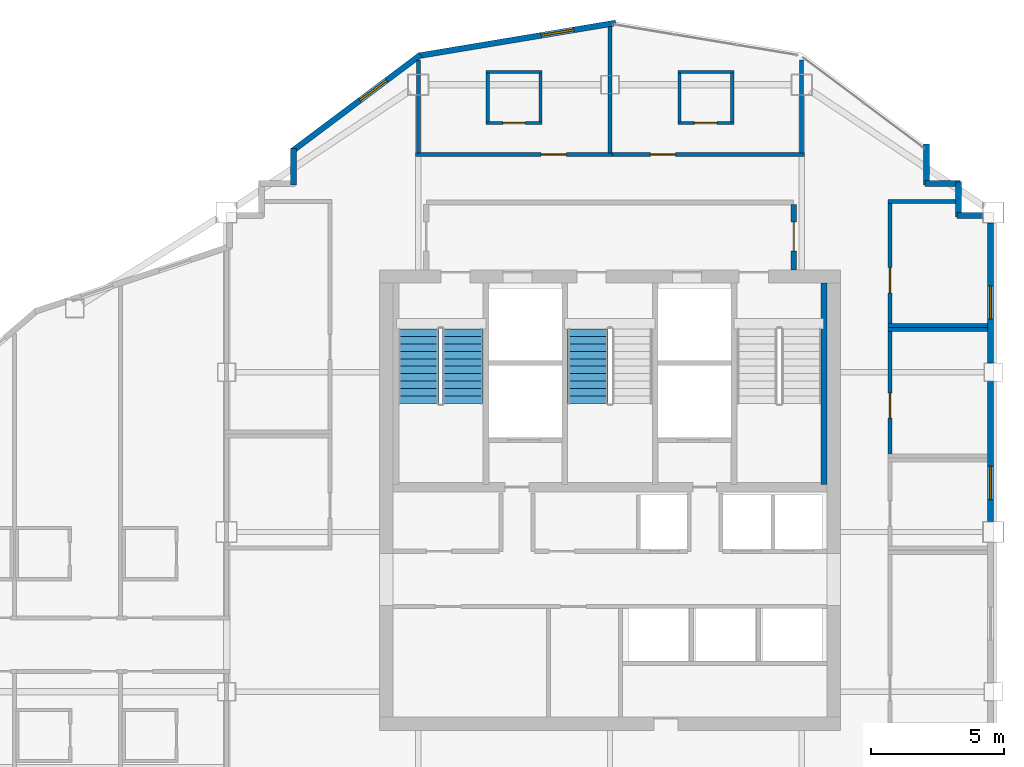
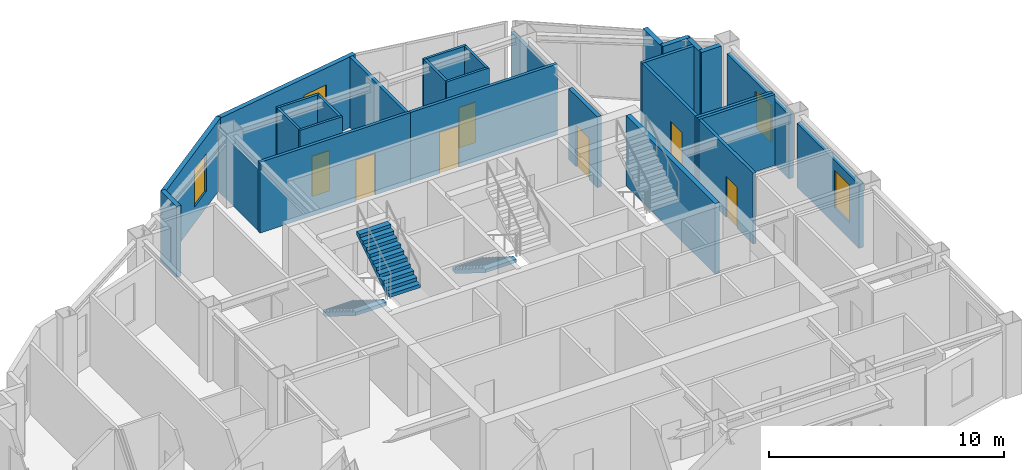
# One storey, part 8 of 10: 29 walls, 7 doors, 4 windows, 3 stair flights, 11 openings, 2 elements without a shape of their own.
"""IFC4 building model written with IfcOpenShell, lengths in metres."""

from ifc_helpers import new_model, si_unit, direction, frame, frame_2d, origin, place, context, subcontext, project, spatial, polyline, rectangle, outline, extrude, material, layer, layer_set, type_object, element, fill, aggregate, save


model = new_model("IFC4")

# Units and contexts
model_context = context("Model", 3, precision=1e-05, world=origin(), true_north=direction((0.0, 1.0)))
body_context = subcontext(model_context, "Body", "Model", "MODEL_VIEW")
ifc_project = project(units=[si_unit("LENGTHUNIT", "METRE"), si_unit("AREAUNIT", "SQUARE_METRE"), si_unit("VOLUMEUNIT", "CUBIC_METRE"), si_unit("PLANEANGLEUNIT", "RADIAN"), si_unit("MASSUNIT", "GRAM", prefix="KILO")], contexts=[model_context])

# Site, building, storey
site_placement = place(None, origin())
site = spatial("IfcSite", under=ifc_project, at=site_placement, CompositionType="ELEMENT")
building_placement = place(site_placement, origin())
building = spatial("IfcBuilding", under=site, at=building_placement, Name="Haolan Belvedere Tower", CompositionType="ELEMENT")
storey_placement = place(building_placement, frame((0.0, 0.0, 258.300048828125)))
storey = spatial("IfcBuildingStorey", under=building, at=storey_placement, Name="L65", CompositionType="ELEMENT", Elevation=258.300048828125)

# Wall, opening, window
ifc_material_1 = material(Name="Precast concrete C40/50", Category="concrete")
ifc_layer_1 = layer(ifc_material_1, 0.219970703125, Name="Precast concrete C40/50")
ifc_layer_set_1 = layer_set([ifc_layer_1], Name="Precast concrete C40/50")
wall_type_1 = type_object("IfcWallType", Name="WL-EXT-220", PredefinedType="SOLIDWALL", material=ifc_layer_set_1)
wall_1_placement = place(storey_placement, frame((52.68994140625, 33.991943359375, 0.0), z_axis=(0.0, 0.0, 1.0), x_axis=(0.0, 1.0, 0.0)))
wall_1 = element("IfcWall", 1, at=wall_1_placement, inside=storey, type_object=wall_type_1, Name="L65 pale-metal exterior spandrel wall 3.3", PredefinedType="SOLIDWALL", context=body_context, shape_type="SweptSolid", body=[
    extrude(rectangle(XDim=5.26611328125, YDim=0.219970703125, at=frame_2d((2.633056640625, 0.0))), origin(), (0.0, 0.0, 1.0), 3.31494140625),
])
opening_1_placement = place(wall_1_placement, frame((0.822998046875, 0.0, 0.85009765625)))
opening_1 = element("IfcOpeningElement", 2, at=opening_1_placement, cuts=wall_1, Name="Opening W-04", PredefinedType="OPENING", context=body_context, shape_type="SweptSolid", body=[
    extrude(rectangle(XDim=1.25, YDim=1.949951171875, at=frame_2d((0.625, 0.97509765625))), frame((0.0, 0.119873046875, 0.0), z_axis=(0.0, -1.0, 0.0), x_axis=(1.0, 0.0, 0.0)), (0.0, 0.0, 1.0), 0.239990234375),
])
ifc_material_2 = material(Name="Anodised aluminium 6063-T6 and Low-E glass", Category="aluminium")
window_type = type_object("IfcWindowType", Name="WN-DECO-Z4", PartitioningType="SINGLE_PANEL", PredefinedType="WINDOW", material=ifc_material_2)
window_1_placement = place(opening_1_placement, origin())
window_1 = element("IfcWindow", 3, at=window_1_placement, inside=storey, type_object=window_type, Name="L65 Art Deco chevron window 1", OverallHeight=1.949951171875, OverallWidth=1.25, PartitioningType="SINGLE_PANEL", PredefinedType="WINDOW", context=body_context, shape_type="SweptSolid", body=[
    extrude(rectangle(XDim=1.25, YDim=1.949951171875, at=frame_2d((0.625, 0.97509765625))), frame((0.0, 0.030029296875, 0.0), z_axis=(0.0, -1.0, 0.0), x_axis=(1.0, 0.0, 0.0)), (0.0, 0.0, 1.0), 0.06005859375),
])
fill(opening_1, window_1)

wall_2_placement = place(storey_placement, frame((52.68994140625, 39.94189453125, 0.0), z_axis=(0.0, 0.0, 1.0), x_axis=(0.0, 1.0, 0.0)))
wall_2 = element("IfcWall", 4, at=wall_2_placement, inside=storey, type_object=wall_type_1, Name="L65 pale-metal exterior spandrel wall 3.4", PredefinedType="SOLIDWALL", context=body_context, shape_type="SweptSolid", body=[
    extrude(rectangle(XDim=5.26611328125, YDim=0.219970703125, at=frame_2d((2.633056640625, 0.0))), origin(), (0.0, 0.0, 1.0), 3.31494140625),
])
opening_2_placement = place(wall_2_placement, frame((1.653076171875, 0.0, 0.85009765625)))
opening_2 = element("IfcOpeningElement", 5, at=opening_2_placement, cuts=wall_2, Name="Opening W-04", PredefinedType="OPENING", context=body_context, shape_type="SweptSolid", body=[
    extrude(rectangle(XDim=1.25, YDim=1.949951171875, at=frame_2d((0.625, 0.97509765625))), frame((0.0, 0.119873046875, 0.0), z_axis=(0.0, -1.0, 0.0), x_axis=(1.0, 0.0, 0.0)), (0.0, 0.0, 1.0), 0.239990234375),
])
window_2_placement = place(opening_2_placement, origin())
window_2 = element("IfcWindow", 6, at=window_2_placement, inside=storey, type_object=window_type, Name="L65 Art Deco chevron window 1", OverallHeight=1.949951171875, OverallWidth=1.25, PartitioningType="SINGLE_PANEL", PredefinedType="WINDOW", context=body_context, shape_type="SweptSolid", body=[
    extrude(rectangle(XDim=1.25, YDim=1.949951171875, at=frame_2d((0.625, 0.97509765625))), frame((0.0, 0.030029296875, 0.0), z_axis=(0.0, -1.0, 0.0), x_axis=(1.0, 0.0, 0.0)), (0.0, 0.0, 1.0), 0.06005859375),
])
fill(opening_2, window_2)

# Walls
wall_3_placement = place(storey_placement, frame((52.407958984375, 45.489990234375, 0.0), z_axis=(0.0, 0.0, 1.0), x_axis=(-1.0, 0.0, 0.0)))
element("IfcWall", 7, at=wall_3_placement, inside=storey, type_object=wall_type_1, Name="L65 pale-metal exterior spandrel wall 4.1", PredefinedType="SOLIDWALL", context=body_context, shape_type="SweptSolid", body=[
    extrude(rectangle(XDim=0.972900390625, YDim=0.219970703125, at=frame_2d((0.486328125, 0.0))), origin(), (0.0, 0.0, 1.0), 3.669921875),
])
wall_4_placement = place(storey_placement, frame((51.489990234375, 45.43505859375, 0.0), z_axis=(0.0, 0.0, 1.0), x_axis=(0.0, 1.0, 0.0)))
element("IfcWall", 8, at=wall_4_placement, inside=storey, type_object=wall_type_1, Name="L65 pale-metal exterior spandrel wall 5.1", PredefinedType="SOLIDWALL", context=body_context, shape_type="SweptSolid", body=[
    extrude(rectangle(XDim=1.31005859375, YDim=0.219970703125, at=frame_2d((0.655029296875, 0.0))), origin(), (0.0, 0.0, 1.0), 3.669921875),
])
wall_5_placement = place(storey_placement, frame((51.544921875, 46.68994140625, 0.0), z_axis=(0.0, 0.0, 1.0), x_axis=(-1.0, 0.0, 0.0)))
element("IfcWall", 9, at=wall_5_placement, inside=storey, type_object=wall_type_1, Name="L65 pale-metal exterior spandrel wall 6.1", PredefinedType="SOLIDWALL", context=body_context, shape_type="SweptSolid", body=[
    extrude(rectangle(XDim=1.309814453125, YDim=0.219970703125, at=frame_2d((0.65478515625, 0.0))), origin(), (0.0, 0.0, 1.0), 3.669921875),
])
wall_6_placement = place(storey_placement, frame((50.2900390625, 46.635009765625, 0.0), z_axis=(0.0, 0.0, 1.0), x_axis=(0.0, 1.0, 0.0)))
element("IfcWall", 10, at=wall_6_placement, inside=storey, type_object=wall_type_1, Name="L65 pale-metal exterior spandrel wall 7.1", PredefinedType="SOLIDWALL", context=body_context, shape_type="SweptSolid", body=[
    extrude(rectangle(XDim=1.534912109375, YDim=0.219970703125, at=frame_2d((0.767578125, 0.0))), origin(), (0.0, 0.0, 1.0), 3.669921875),
])

# Wall, opening, window
wall_7_placement = place(storey_placement, frame((38.621826171875, 52.7255859375, 0.0), z_axis=(0.0, 0.0, 1.0), x_axis=(-0.986390420428, -0.164420006349, 0.0)))
wall_7 = element("IfcWall", 11, at=wall_7_placement, inside=storey, type_object=wall_type_1, Name="L65 pale-metal exterior spandrel wall 10.1", PredefinedType="SOLIDWALL", context=body_context, shape_type="SweptSolid", body=[
    extrude(rectangle(XDim=7.5341796875, YDim=0.219970703125, at=frame_2d((3.76708984375, 0.0))), origin(), (0.0, 0.0, 1.0), 3.669921875),
])
opening_3_placement = place(wall_7_placement, frame((1.60009765625, 0.0, 0.85009765625)))
opening_3 = element("IfcOpeningElement", 12, at=opening_3_placement, cuts=wall_7, Name="Opening W-04", PredefinedType="OPENING", context=body_context, shape_type="SweptSolid", body=[
    extrude(rectangle(XDim=1.25, YDim=1.949951171875, at=frame_2d((0.625, 0.97509765625))), frame((0.0, 0.119873046875, 0.0), z_axis=(0.0, -1.0, 0.0), x_axis=(1.0, 0.0, 0.0)), (0.0, 0.0, 1.0), 0.239990234375),
])
window_3_placement = place(opening_3_placement, origin())
window_3 = element("IfcWindow", 13, at=window_3_placement, inside=storey, type_object=window_type, Name="L65 Art Deco chevron window 1", OverallHeight=1.949951171875, OverallWidth=1.25, PartitioningType="SINGLE_PANEL", PredefinedType="WINDOW", context=body_context, shape_type="SweptSolid", body=[
    extrude(rectangle(XDim=1.25, YDim=1.949951171875, at=frame_2d((0.625, 0.97509765625))), frame((0.0, 0.030029296875, 0.0), z_axis=(0.0, -1.0, 0.0), x_axis=(1.0, 0.0, 0.0)), (0.0, 0.0, 1.0), 0.06005859375),
])
fill(opening_3, window_3)

wall_8_placement = place(storey_placement, frame((31.28857421875, 51.52880859375, 0.0), z_axis=(0.0, 0.0, 1.0), x_axis=(-0.800014580093, -0.599980559383, 0.0)))
wall_8 = element("IfcWall", 14, at=wall_8_placement, inside=storey, type_object=wall_type_1, Name="L65 pale-metal exterior spandrel wall 11.1", PredefinedType="SOLIDWALL", context=body_context, shape_type="SweptSolid", body=[
    extrude(rectangle(XDim=6.028076171875, YDim=0.219970703125, at=frame_2d((3.01416015625, 0.0))), origin(), (0.0, 0.0, 1.0), 3.669921875),
])
opening_4_placement = place(wall_8_placement, frame((1.60009765625, 0.0, 0.85009765625)))
opening_4 = element("IfcOpeningElement", 15, at=opening_4_placement, cuts=wall_8, Name="Opening W-04", PredefinedType="OPENING", context=body_context, shape_type="SweptSolid", body=[
    extrude(rectangle(XDim=1.25, YDim=1.949951171875, at=frame_2d((0.625, 0.97509765625))), frame((0.0, 0.119873046875, 0.0), z_axis=(0.0, -1.0, 0.0), x_axis=(1.0, 0.0, 0.0)), (0.0, 0.0, 1.0), 0.239990234375),
])
window_4_placement = place(opening_4_placement, origin())
window_4 = element("IfcWindow", 16, at=window_4_placement, inside=storey, type_object=window_type, Name="L65 Art Deco chevron window 1", OverallHeight=1.949951171875, OverallWidth=1.25, PartitioningType="SINGLE_PANEL", PredefinedType="WINDOW", context=body_context, shape_type="SweptSolid", body=[
    extrude(rectangle(XDim=1.25, YDim=1.949951171875, at=frame_2d((0.625, 0.97509765625))), frame((0.0, 0.030029296875, 0.0), z_axis=(0.0, -1.0, 0.0), x_axis=(1.0, 0.0, 0.0)), (0.0, 0.0, 1.0), 0.06005859375),
])
fill(opening_4, window_4)

# Wall
wall_9_placement = place(storey_placement, frame((26.510009765625, 48.0, 0.0), z_axis=(0.0, 0.0, 1.0), x_axis=(0.0, -1.0, 0.0)))
element("IfcWall", 17, at=wall_9_placement, inside=storey, type_object=wall_type_1, Name="L65 pale-metal exterior spandrel wall 12.1", PredefinedType="SOLIDWALL", context=body_context, shape_type="SweptSolid", body=[
    extrude(rectangle(XDim=1.364990234375, YDim=0.219970703125, at=frame_2d((0.6826171875, 0.0))), origin(), (0.0, 0.0, 1.0), 3.669921875),
])

# Wall, opening, door
ifc_material_3 = material(Name="Concrete C40/50", Category="concrete")
ifc_layer_2 = layer(ifc_material_3, 0.199951171875, Name="Concrete C40/50")
ifc_layer_set_2 = layer_set([ifc_layer_2], Name="Concrete C40/50")
wall_type_2 = type_object("IfcWallType", Name="WL-FIRE-200", PredefinedType="SOLIDWALL", material=ifc_layer_set_2)
wall_10_placement = place(storey_placement, frame((45.300048828125, 43.449951171875, 0.0), z_axis=(0.0, 0.0, 1.0), x_axis=(0.0, 1.0, 0.0)))
wall_10 = element("IfcWall", 18, at=wall_10_placement, inside=storey, type_object=wall_type_2, Name="L65 interior partition IW-L65-FFL-E", PredefinedType="SOLIDWALL", context=body_context, shape_type="SweptSolid", body=[
    extrude(rectangle(XDim=2.445068359375, YDim=0.199951171875, at=frame_2d((1.22265625, 0.0))), origin(), (0.0, 0.0, 1.0), 3.669921875),
])
opening_5_placement = place(wall_10_placement, frame((0.699951171875, 0.0, 0.0)))
opening_5 = element("IfcOpeningElement", 19, at=opening_5_placement, cuts=wall_10, Name="Opening FD-03", PredefinedType="OPENING", context=body_context, shape_type="SweptSolid", body=[
    extrude(rectangle(XDim=1.10009765625, YDim=2.14990234375, at=frame_2d((0.550048828125, 1.074951171875))), frame((0.0, 0.10986328125, 0.0), z_axis=(0.0, -1.0, 0.0), x_axis=(1.0, 0.0, 0.0)), (0.0, 0.0, 1.0), 0.219970703125),
])
ifc_material_4 = material(Name="Galvanised fire-rated steel", Category="steel")
door_type_1 = type_object("IfcDoorType", Name="DR-FD90-1100", OperationType="NOTDEFINED", PredefinedType="DOOR", material=ifc_material_4)
door_1_placement = place(opening_5_placement, origin())
door_1 = element("IfcDoor", 20, at=door_1_placement, inside=storey, type_object=door_type_1, Name="L65 door ID-L65-FFL-DE", OperationType="SINGLE_SWING_RIGHT", OverallHeight=2.14990234375, OverallWidth=1.10009765625, PredefinedType="DOOR", context=body_context, shape_type="SweptSolid", body=[
    extrude(rectangle(XDim=1.10009765625, YDim=2.14990234375, at=frame_2d((0.550048828125, 1.074951171875))), frame((0.0, 0.02490234375, 0.0), z_axis=(0.0, -1.0, 0.0), x_axis=(1.0, 0.0, 0.0)), (0.0, 0.0, 1.0), 0.050048828125),
])
fill(opening_5, door_1)

# Wall
ifc_material_5 = material(Name="Double gypsum acoustic stud partition", Category="masonry")
ifc_layer_3 = layer(ifc_material_5, 0.14990234375, Name="Double gypsum acoustic stud partition")
ifc_layer_set_3 = layer_set([ifc_layer_3], Name="Double gypsum acoustic stud partition")
wall_type_3 = type_object("IfcWallType", Name="WL-PART-150", PredefinedType="PARTITIONING", material=ifc_layer_set_3)
wall_11_placement = place(storey_placement, frame((48.840087890625, 41.199951171875, 0.0), z_axis=(0.0, 0.0, 1.0), x_axis=(1.0, 0.0, 0.0)))
element("IfcWall", 21, at=wall_11_placement, inside=storey, type_object=wall_type_3, Name="L65 interior partition IW-L65-STY-N", PredefinedType="PARTITIONING", context=body_context, shape_type="SweptSolid", body=[
    extrude(rectangle(XDim=3.747802734375, YDim=0.14990234375, at=frame_2d((1.8740234375, 0.0))), origin(), (0.0, 0.0, 1.0), 3.669921875),
])

# Wall, opening, door
wall_12_placement = place(storey_placement, frame((48.919921875, 36.52001953125, 0.0), z_axis=(0.0, 0.0, 1.0), x_axis=(0.0, 1.0, 0.0)))
wall_12 = element("IfcWall", 22, at=wall_12_placement, inside=storey, type_object=wall_type_3, Name="L65 interior partition IW-L65-STY-W", PredefinedType="PARTITIONING", context=body_context, shape_type="SweptSolid", body=[
    extrude(rectangle(XDim=4.619873046875, YDim=0.14990234375, at=frame_2d((2.31005859375, 0.0))), origin(), (0.0, 0.0, 1.0), 3.669921875),
])
opening_6_placement = place(wall_12_placement, frame((1.360107421875, 0.0, 0.0)))
opening_6 = element("IfcOpeningElement", 23, at=opening_6_placement, cuts=wall_12, Name="Opening ID-03", PredefinedType="OPENING", context=body_context, shape_type="SweptSolid", body=[
    extrude(rectangle(XDim=0.949951171875, YDim=2.1201171875, at=frame_2d((0.47509765625, 1.06005859375))), frame((0.0, 0.0849609375, 0.0), z_axis=(0.0, -1.0, 0.0), x_axis=(1.0, 0.0, 0.0)), (0.0, 0.0, 1.0), 0.169921875),
])
ifc_material_6 = material(Name="Painted solid-core timber", Category="wood")
door_type_2 = type_object("IfcDoorType", Name="DR-INT-950", OperationType="NOTDEFINED", PredefinedType="DOOR", material=ifc_material_6)
door_2_placement = place(opening_6_placement, origin())
door_2 = element("IfcDoor", 24, at=door_2_placement, inside=storey, type_object=door_type_2, Name="L65 door ID-L65-STY", OperationType="SINGLE_SWING_RIGHT", OverallHeight=2.1201171875, OverallWidth=0.949951171875, PredefinedType="DOOR", context=body_context, shape_type="SweptSolid", body=[
    extrude(rectangle(XDim=0.949951171875, YDim=2.1201171875, at=frame_2d((0.47509765625, 1.06005859375))), frame((0.0, 0.02490234375, 0.0), z_axis=(0.0, -1.0, 0.0), x_axis=(1.0, 0.0, 0.0)), (0.0, 0.0, 1.0), 0.050048828125),
])
fill(opening_6, door_2)

# Walls
wall_13_placement = place(storey_placement, frame((48.840087890625, 46.02001953125, 0.0), z_axis=(0.0, 0.0, 1.0), x_axis=(1.0, 0.0, 0.0)))
element("IfcWall", 25, at=wall_13_placement, inside=storey, type_object=wall_type_3, Name="L65 interior partition IW-L65-PNT-N", PredefinedType="PARTITIONING", context=body_context, shape_type="SweptSolid", body=[
    extrude(rectangle(XDim=2.5478515625, YDim=0.14990234375, at=frame_2d((1.27392578125, 0.0))), origin(), (0.0, 0.0, 1.0), 3.669921875),
])
wall_14_placement = place(storey_placement, frame((48.840087890625, 41.360107421875, 0.0), z_axis=(0.0, 0.0, 1.0), x_axis=(1.0, 0.0, 0.0)))
element("IfcWall", 26, at=wall_14_placement, inside=storey, type_object=wall_type_3, Name="L65 interior partition IW-L65-PNT-S", PredefinedType="PARTITIONING", context=body_context, shape_type="SweptSolid", body=[
    extrude(rectangle(XDim=3.747802734375, YDim=0.14990234375, at=frame_2d((1.8740234375, 0.0))), origin(), (0.0, 0.0, 1.0), 3.669921875),
])

# Wall, opening, door
wall_15_placement = place(storey_placement, frame((48.919921875, 41.419921875, 0.0), z_axis=(0.0, 0.0, 1.0), x_axis=(0.0, 1.0, 0.0)))
wall_15 = element("IfcWall", 27, at=wall_15_placement, inside=storey, type_object=wall_type_3, Name="L65 interior partition IW-L65-PNT-W", PredefinedType="PARTITIONING", context=body_context, shape_type="SweptSolid", body=[
    extrude(rectangle(XDim=4.5400390625, YDim=0.14990234375, at=frame_2d((2.27001953125, 0.0))), origin(), (0.0, 0.0, 1.0), 3.669921875),
])
opening_7_placement = place(wall_15_placement, frame((1.159912109375, 0.0, 0.0)))
opening_7 = element("IfcOpeningElement", 28, at=opening_7_placement, cuts=wall_15, Name="Opening ID-03", PredefinedType="OPENING", context=body_context, shape_type="SweptSolid", body=[
    extrude(rectangle(XDim=0.949951171875, YDim=2.1201171875, at=frame_2d((0.47509765625, 1.06005859375))), frame((0.0, 0.0849609375, 0.0), z_axis=(0.0, -1.0, 0.0), x_axis=(1.0, 0.0, 0.0)), (0.0, 0.0, 1.0), 0.169921875),
])
door_3_placement = place(opening_7_placement, origin())
door_3 = element("IfcDoor", 29, at=door_3_placement, inside=storey, type_object=door_type_2, Name="L65 door ID-L65-PNT", OperationType="SINGLE_SWING_LEFT", OverallHeight=2.1201171875, OverallWidth=0.949951171875, PredefinedType="DOOR", context=body_context, shape_type="SweptSolid", body=[
    extrude(rectangle(XDim=0.949951171875, YDim=2.1201171875, at=frame_2d((0.47509765625, 1.06005859375))), frame((0.0, 0.02490234375, 0.0), z_axis=(0.0, -1.0, 0.0), x_axis=(1.0, 0.0, 0.0)), (0.0, 0.0, 1.0), 0.050048828125),
])
fill(opening_7, door_3)

wall_16_placement = place(storey_placement, frame((31.10009765625, 47.780029296875, 0.0), z_axis=(0.0, 0.0, 1.0), x_axis=(1.0, 0.0, 0.0)))
wall_16 = element("IfcWall", 30, at=wall_16_placement, inside=storey, type_object=wall_type_3, Name="L65 interior partition IW-L65-KN2-S", PredefinedType="PARTITIONING", context=body_context, shape_type="SweptSolid", body=[
    extrude(rectangle(XDim=7.39990234375, YDim=0.14990234375, at=frame_2d((3.699951171875, 0.0))), origin(), (0.0, 0.0, 1.0), 3.669921875),
])
opening_8_placement = place(wall_16_placement, frame((4.713623046875, 0.0, 0.0)))
opening_8 = element("IfcOpeningElement", 31, at=opening_8_placement, cuts=wall_16, Name="Opening ID-02", PredefinedType="OPENING", context=body_context, shape_type="SweptSolid", body=[
    extrude(rectangle(XDim=0.949951171875, YDim=2.14990234375, at=frame_2d((0.47509765625, 1.074951171875))), frame((0.0, 0.0849609375, 0.0), z_axis=(0.0, -1.0, 0.0), x_axis=(1.0, 0.0, 0.0)), (0.0, 0.0, 1.0), 0.169921875),
])
ifc_material_7 = material(Name="Acoustic oak veneer fire-rated timber", Category="wood")
door_type_3 = type_object("IfcDoorType", Name="DR-GUEST-950", OperationType="NOTDEFINED", PredefinedType="DOOR", material=ifc_material_7)
door_4_placement = place(opening_8_placement, origin())
door_4 = element("IfcDoor", 32, at=door_4_placement, inside=storey, type_object=door_type_3, Name="L65 door ID-L65-KN2-ENT", OperationType="SINGLE_SWING_LEFT", OverallHeight=2.14990234375, OverallWidth=0.949951171875, PredefinedType="DOOR", context=body_context, shape_type="SweptSolid", body=[
    extrude(rectangle(XDim=0.949951171875, YDim=2.14990234375, at=frame_2d((0.47509765625, 1.074951171875))), frame((0.0, 0.02490234375, 0.0), z_axis=(0.0, -1.0, 0.0), x_axis=(1.0, 0.0, 0.0)), (0.0, 0.0, 1.0), 0.050048828125),
])
fill(opening_8, door_4)

# Walls
wall_17_placement = place(storey_placement, frame((31.199951171875, 47.840087890625, 0.0), z_axis=(0.0, 0.0, 1.0), x_axis=(0.0, 1.0, 0.0)))
element("IfcWall", 33, at=wall_17_placement, inside=storey, type_object=wall_type_3, Name="L65 interior partition IW-L65-KN2-W", PredefinedType="PARTITIONING", context=body_context, shape_type="SweptSolid", body=[
    extrude(rectangle(XDim=3.494873046875, YDim=0.14990234375, at=frame_2d((1.74755859375, 0.0))), origin(), (0.0, 0.0, 1.0), 3.204833984375),
])
wall_18_placement = place(storey_placement, frame((38.39990234375, 47.840087890625, 0.0), z_axis=(0.0, 0.0, 1.0), x_axis=(0.0, 1.0, 0.0)))
element("IfcWall", 34, at=wall_18_placement, inside=storey, type_object=wall_type_3, Name="L65 interior partition IW-L65-KN2-E", PredefinedType="PARTITIONING", context=body_context, shape_type="SweptSolid", body=[
    extrude(rectangle(XDim=4.7451171875, YDim=0.14990234375, at=frame_2d((2.37255859375, 0.0))), origin(), (0.0, 0.0, 1.0), 3.669921875),
])

# Wall, opening, door
wall_19_placement = place(storey_placement, frame((38.501953125, 47.780029296875, 0.0), z_axis=(0.0, 0.0, 1.0), x_axis=(1.0, 0.0, 0.0)))
wall_19 = element("IfcWall", 35, at=wall_19_placement, inside=storey, type_object=wall_type_3, Name="L65 interior partition IW-L65-KN3-S", PredefinedType="PARTITIONING", context=body_context, shape_type="SweptSolid", body=[
    extrude(rectangle(XDim=7.197998046875, YDim=0.14990234375, at=frame_2d((3.59912109375, 0.0))), origin(), (0.0, 0.0, 1.0), 3.669921875),
])
opening_9_placement = place(wall_19_placement, frame((1.41748046875, 0.0, 0.0)))
opening_9 = element("IfcOpeningElement", 36, at=opening_9_placement, cuts=wall_19, Name="Opening ID-02", PredefinedType="OPENING", context=body_context, shape_type="SweptSolid", body=[
    extrude(rectangle(XDim=0.949951171875, YDim=2.14990234375, at=frame_2d((0.47509765625, 1.074951171875))), frame((0.0, 0.0849609375, 0.0), z_axis=(0.0, -1.0, 0.0), x_axis=(1.0, 0.0, 0.0)), (0.0, 0.0, 1.0), 0.169921875),
])
door_5_placement = place(opening_9_placement, origin())
door_5 = element("IfcDoor", 37, at=door_5_placement, inside=storey, type_object=door_type_3, Name="L65 door ID-L65-KN3-ENT", OperationType="SINGLE_SWING_RIGHT", OverallHeight=2.14990234375, OverallWidth=0.949951171875, PredefinedType="DOOR", context=body_context, shape_type="SweptSolid", body=[
    extrude(rectangle(XDim=0.949951171875, YDim=2.14990234375, at=frame_2d((0.47509765625, 1.074951171875))), frame((0.0, 0.02490234375, 0.0), z_axis=(0.0, -1.0, 0.0), x_axis=(1.0, 0.0, 0.0)), (0.0, 0.0, 1.0), 0.050048828125),
])
fill(opening_9, door_5)

# Walls
wall_20_placement = place(storey_placement, frame((45.60009765625, 47.840087890625, 0.0), z_axis=(0.0, 0.0, 1.0), x_axis=(0.0, 1.0, 0.0)))
element("IfcWall", 38, at=wall_20_placement, inside=storey, type_object=wall_type_3, Name="L65 interior partition IW-L65-KN3-E", PredefinedType="PARTITIONING", context=body_context, shape_type="SweptSolid", body=[
    extrude(rectangle(XDim=3.494873046875, YDim=0.14990234375, at=frame_2d((1.74755859375, 0.0))), origin(), (0.0, 0.0, 1.0), 3.204833984375),
])
ifc_material_8 = material(Name="Concrete C50/60", Category="concrete")
ifc_layer_4 = layer(ifc_material_8, 0.219970703125, Name="Concrete C50/60")
ifc_layer_set_4 = layer_set([ifc_layer_4], Name="Concrete C50/60")
wall_type_4 = type_object("IfcWallType", Name="WL-STAIR-220", PredefinedType="SHEAR", material=ifc_layer_set_4)
wall_21_placement = place(storey_placement, frame((46.43798828125, 35.389892578125, 0.0), z_axis=(0.0, 0.0, 1.0), x_axis=(0.0, 1.0, 0.0)))
element("IfcWall", 39, at=wall_21_placement, inside=storey, type_object=wall_type_4, Name="L65 structural stair core wall ST2E", PredefinedType="SHEAR", context=body_context, shape_type="SweptSolid", body=[
    extrude(rectangle(XDim=7.56005859375, YDim=0.219970703125, at=frame_2d((3.780029296875, 0.0))), origin(), (0.0, 0.0, 1.0), 3.669921875),
])
ifc_material_9 = material(Name="Moisture-resistant gypsum tile partition", Category="masonry")
ifc_layer_5 = layer(ifc_material_9, 0.1201171875, Name="Moisture-resistant gypsum tile partition")
ifc_layer_set_5 = layer_set([ifc_layer_5], Name="Moisture-resistant gypsum tile partition")
wall_type_5 = type_object("IfcWallType", Name="WL-WET-120", PredefinedType="PARTITIONING", material=ifc_layer_set_5)
wall_22_placement = place(storey_placement, frame((33.75, 50.8798828125, 0.0), z_axis=(0.0, 0.0, 1.0), x_axis=(1.0, 0.0, 0.0)))
element("IfcWall", 40, at=wall_22_placement, inside=storey, type_object=wall_type_5, Name="L65 interior partition IW-L65-KN2-BN", PredefinedType="PARTITIONING", context=body_context, shape_type="SweptSolid", body=[
    extrude(rectangle(XDim=2.10009765625, YDim=0.1201171875, at=frame_2d((1.050048828125, 0.0))), origin(), (0.0, 0.0, 1.0), 3.669921875),
])

# Wall, opening, door
wall_23_placement = place(storey_placement, frame((33.75, 48.9599609375, 0.0), z_axis=(0.0, 0.0, 1.0), x_axis=(1.0, 0.0, 0.0)))
wall_23 = element("IfcWall", 41, at=wall_23_placement, inside=storey, type_object=wall_type_5, Name="L65 interior partition IW-L65-KN2-BS", PredefinedType="PARTITIONING", context=body_context, shape_type="SweptSolid", body=[
    extrude(rectangle(XDim=2.10009765625, YDim=0.1201171875, at=frame_2d((1.050048828125, 0.0))), origin(), (0.0, 0.0, 1.0), 3.669921875),
])
opening_10_placement = place(wall_23_placement, frame((0.625, 0.0, 0.0)))
opening_10 = element("IfcOpeningElement", 42, at=opening_10_placement, cuts=wall_23, Name="Opening ID-05", PredefinedType="OPENING", context=body_context, shape_type="SweptSolid", body=[
    extrude(rectangle(XDim=0.85009765625, YDim=2.10009765625, at=frame_2d((0.425048828125, 1.050048828125))), frame((0.0, 0.070068359375, 0.0), z_axis=(0.0, -1.0, 0.0), x_axis=(1.0, 0.0, 0.0)), (0.0, 0.0, 1.0), 0.14013671875),
])
ifc_material_10 = material(Name="Moisture-resistant lacquered timber", Category="wood")
door_type_4 = type_object("IfcDoorType", Name="DR-BATH-850", OperationType="NOTDEFINED", PredefinedType="DOOR", material=ifc_material_10)
door_6_placement = place(opening_10_placement, origin())
door_6 = element("IfcDoor", 43, at=door_6_placement, inside=storey, type_object=door_type_4, Name="L65 door ID-L65-KN2-BATH", OperationType="SINGLE_SWING_RIGHT", OverallHeight=2.10009765625, OverallWidth=0.85009765625, PredefinedType="DOOR", context=body_context, shape_type="SweptSolid", body=[
    extrude(rectangle(XDim=0.85009765625, YDim=2.10009765625, at=frame_2d((0.425048828125, 1.050048828125))), frame((0.0, 0.02490234375, 0.0), z_axis=(0.0, -1.0, 0.0), x_axis=(1.0, 0.0, 0.0)), (0.0, 0.0, 1.0), 0.050048828125),
])
fill(opening_10, door_6)

# Walls
for number, where, z_axis, x_axis, name in (
    (44, (33.81005859375, 49.0048828125, 0.0), (0.0, 0.0, 1.0), (0.0, 1.0, 0.0), "L65 interior partition IW-L65-KN2-BW"),
    (45, (35.7900390625, 49.0048828125, 0.0), (0.0, 0.0, 1.0), (0.0, 1.0, 0.0), "L65 interior partition IW-L65-KN2-BE"),
):
    element("IfcWall", number, at=place(storey_placement, frame(where, z_axis=z_axis, x_axis=x_axis)), inside=storey, type_object=wall_type_5, Name=name, PredefinedType="PARTITIONING", context=body_context, shape_type="SweptSolid", body=[
        extrude(rectangle(XDim=1.830078125, YDim=0.1201171875, at=frame_2d((0.9150390625, 0.0))), origin(), (0.0, 0.0, 1.0), 3.669921875),
    ])
wall_24_placement = place(storey_placement, frame((40.949951171875, 50.8798828125, 0.0), z_axis=(0.0, 0.0, 1.0), x_axis=(1.0, 0.0, 0.0)))
element("IfcWall", 46, at=wall_24_placement, inside=storey, type_object=wall_type_5, Name="L65 interior partition IW-L65-KN3-BN", PredefinedType="PARTITIONING", context=body_context, shape_type="SweptSolid", body=[
    extrude(rectangle(XDim=2.10009765625, YDim=0.1201171875, at=frame_2d((1.050048828125, 0.0))), origin(), (0.0, 0.0, 1.0), 3.669921875),
])

# Wall, opening, door
wall_25_placement = place(storey_placement, frame((40.949951171875, 48.9599609375, 0.0), z_axis=(0.0, 0.0, 1.0), x_axis=(1.0, 0.0, 0.0)))
wall_25 = element("IfcWall", 47, at=wall_25_placement, inside=storey, type_object=wall_type_5, Name="L65 interior partition IW-L65-KN3-BS", PredefinedType="PARTITIONING", context=body_context, shape_type="SweptSolid", body=[
    extrude(rectangle(XDim=2.10009765625, YDim=0.1201171875, at=frame_2d((1.050048828125, 0.0))), origin(), (0.0, 0.0, 1.0), 3.669921875),
])
opening_11_placement = place(wall_25_placement, frame((0.625, 0.0, 0.0)))
opening_11 = element("IfcOpeningElement", 48, at=opening_11_placement, cuts=wall_25, Name="Opening ID-05", PredefinedType="OPENING", context=body_context, shape_type="SweptSolid", body=[
    extrude(rectangle(XDim=0.85009765625, YDim=2.10009765625, at=frame_2d((0.425048828125, 1.050048828125))), frame((0.0, 0.070068359375, 0.0), z_axis=(0.0, -1.0, 0.0), x_axis=(1.0, 0.0, 0.0)), (0.0, 0.0, 1.0), 0.14013671875),
])
door_7_placement = place(opening_11_placement, origin())
door_7 = element("IfcDoor", 49, at=door_7_placement, inside=storey, type_object=door_type_4, Name="L65 door ID-L65-KN3-BATH", OperationType="SINGLE_SWING_LEFT", OverallHeight=2.10009765625, OverallWidth=0.85009765625, PredefinedType="DOOR", context=body_context, shape_type="SweptSolid", body=[
    extrude(rectangle(XDim=0.85009765625, YDim=2.10009765625, at=frame_2d((0.425048828125, 1.050048828125))), frame((0.0, 0.02490234375, 0.0), z_axis=(0.0, -1.0, 0.0), x_axis=(1.0, 0.0, 0.0)), (0.0, 0.0, 1.0), 0.050048828125),
])
fill(opening_11, door_7)

# Walls
for number, where, z_axis, x_axis, name in (
    (50, (41.010009765625, 49.0048828125, 0.0), (0.0, 0.0, 1.0), (0.0, 1.0, 0.0), "L65 interior partition IW-L65-KN3-BW"),
    (51, (42.989990234375, 49.0048828125, 0.0), (0.0, 0.0, 1.0), (0.0, 1.0, 0.0), "L65 interior partition IW-L65-KN3-BE"),
):
    element("IfcWall", number, at=place(storey_placement, frame(where, z_axis=z_axis, x_axis=x_axis)), inside=storey, type_object=wall_type_5, Name=name, PredefinedType="PARTITIONING", context=body_context, shape_type="SweptSolid", body=[
        extrude(rectangle(XDim=1.830078125, YDim=0.1201171875, at=frame_2d((0.9150390625, 0.0))), origin(), (0.0, 0.0, 1.0), 3.669921875),
    ])

# Stair, stair flights
stair_type = type_object("IfcStairType", Name="STR-DL-22R-175", PredefinedType="HALF_TURN_STAIR", material=ifc_material_3)
stair_1_placement = place(storey_placement, origin())
stair_1 = element("IfcStair", 52, at=stair_1_placement, inside=storey, type_object=stair_type, Name="L65 Smokeproof Core Exit Stair ST1", PredefinedType="HALF_TURN_STAIR")
stair_flight_type = type_object("IfcStairFlightType", Name="SFL-DL-11R-175", PredefinedType="STRAIGHT", material=ifc_material_3)
stair_flight_1_placement = place(storey_placement, frame((31.2099609375, 41.22998046875, 0.0), z_axis=(0.0, 0.0, 1.0), x_axis=(0.0, -1.0, 0.0)))
stair_flight_1 = element("IfcStairFlight", 53, at=stair_flight_1_placement, type_object=stair_flight_type, Name="ST1 flight 1", NumberOfRisers=11, NumberOfTreads=10, PredefinedType="STRAIGHT", RiserHeight=0.175, TreadLength=0.28, context=body_context, shape_type="SweptSolid", body=[
    extrude(outline(polyline([(0.0, 0.0), (0.0, 0.175048828125), (0.280029296875, 0.175048828125), (0.280029296875, 0.35009765625), (0.56005859375, 0.35009765625), (0.56005859375, 0.52490234375), (0.840087890625, 0.52490234375), (0.840087890625, 0.699951171875), (1.1201171875, 0.699951171875), (1.1201171875, 0.875), (1.39990234375, 0.875), (1.39990234375, 1.050048828125), (1.679931640625, 1.050048828125), (1.679931640625, 1.22509765625), (1.9599609375, 1.22509765625), (1.9599609375, 1.39990234375), (2.239990234375, 1.39990234375), (2.239990234375, 1.574951171875), (2.52001953125, 1.574951171875), (2.52001953125, 1.75), (2.800048828125, 1.75), (2.800048828125, 1.925048828125), (2.800048828125, 1.5732421875), (0.28271484375, 0.0), (0.0, 0.0)])), frame((0.0, 0.760009765625, 0.0), z_axis=(0.0, -1.0, 0.0), x_axis=(1.0, 0.0, 0.0)), (0.0, 0.0, 1.0), 1.52001953125),
])
stair_flight_2_placement = place(storey_placement, frame((32.8701171875, 38.429931640625, 1.925048828125), z_axis=(0.0, 0.0, 1.0), x_axis=(0.0, 1.0, 0.0)))
stair_flight_2 = element("IfcStairFlight", 54, at=stair_flight_2_placement, type_object=stair_flight_type, Name="ST1 flight 2", NumberOfRisers=11, NumberOfTreads=10, PredefinedType="STRAIGHT", RiserHeight=0.175, TreadLength=0.28, context=body_context, shape_type="SweptSolid", body=[
    extrude(outline(polyline([(0.0, 0.0), (0.0, 0.175048828125), (0.280029296875, 0.175048828125), (0.280029296875, 0.35009765625), (0.56005859375, 0.35009765625), (0.56005859375, 0.52490234375), (0.840087890625, 0.52490234375), (0.840087890625, 0.699951171875), (1.1201171875, 0.699951171875), (1.1201171875, 0.875), (1.39990234375, 0.875), (1.39990234375, 1.050048828125), (1.679931640625, 1.050048828125), (1.679931640625, 1.22509765625), (1.9599609375, 1.22509765625), (1.9599609375, 1.39990234375), (2.239990234375, 1.39990234375), (2.239990234375, 1.574951171875), (2.52001953125, 1.574951171875), (2.52001953125, 1.75), (2.800048828125, 1.75), (2.800048828125, 1.925048828125), (2.800048828125, 1.5732421875), (0.28271484375, 0.0), (0.0, 0.0)])), frame((0.0, 0.760009765625, 0.0), z_axis=(0.0, -1.0, 0.0), x_axis=(1.0, 0.0, 0.0)), (0.0, 0.0, 1.0), 1.52001953125),
])
aggregate(stair_1, [stair_flight_1, stair_flight_2])

# Stair, stair flight
stair_2_placement = place(storey_placement, origin())
stair_2 = element("IfcStair", 55, at=stair_2_placement, inside=storey, type_object=stair_type, Name="L65 Smokeproof Core Exit Stair ST3", PredefinedType="HALF_TURN_STAIR")
stair_flight_3_placement = place(storey_placement, frame((37.570068359375, 41.22998046875, 0.0), z_axis=(0.0, 0.0, 1.0), x_axis=(0.0, -1.0, 0.0)))
stair_flight_3 = element("IfcStairFlight", 56, at=stair_flight_3_placement, type_object=stair_flight_type, Name="ST3 flight 1", NumberOfRisers=11, NumberOfTreads=10, PredefinedType="STRAIGHT", RiserHeight=0.175, TreadLength=0.28, context=body_context, shape_type="SweptSolid", body=[
    extrude(outline(polyline([(0.0, 0.0), (0.0, 0.175048828125), (0.280029296875, 0.175048828125), (0.280029296875, 0.35009765625), (0.56005859375, 0.35009765625), (0.56005859375, 0.52490234375), (0.840087890625, 0.52490234375), (0.840087890625, 0.699951171875), (1.1201171875, 0.699951171875), (1.1201171875, 0.875), (1.39990234375, 0.875), (1.39990234375, 1.050048828125), (1.679931640625, 1.050048828125), (1.679931640625, 1.22509765625), (1.9599609375, 1.22509765625), (1.9599609375, 1.39990234375), (2.239990234375, 1.39990234375), (2.239990234375, 1.574951171875), (2.52001953125, 1.574951171875), (2.52001953125, 1.75), (2.800048828125, 1.75), (2.800048828125, 1.925048828125), (2.800048828125, 1.5732421875), (0.28271484375, 0.0), (0.0, 0.0)])), frame((0.0, 0.760009765625, 0.0), z_axis=(0.0, -1.0, 0.0), x_axis=(1.0, 0.0, 0.0)), (0.0, 0.0, 1.0), 1.52001953125),
])
aggregate(stair_2, [stair_flight_3])

save(model, "model.ifc")
